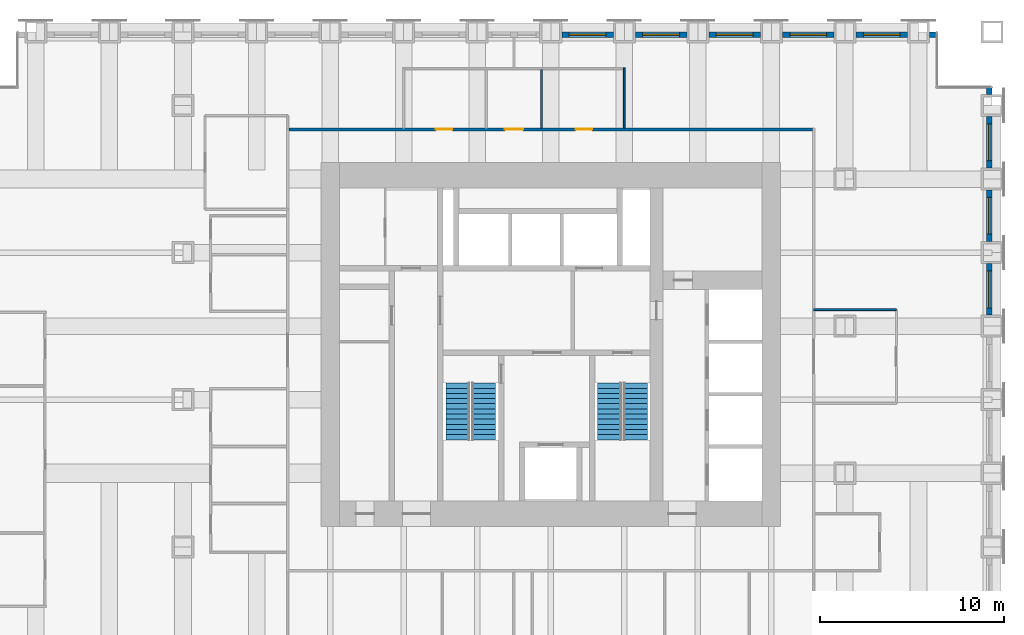
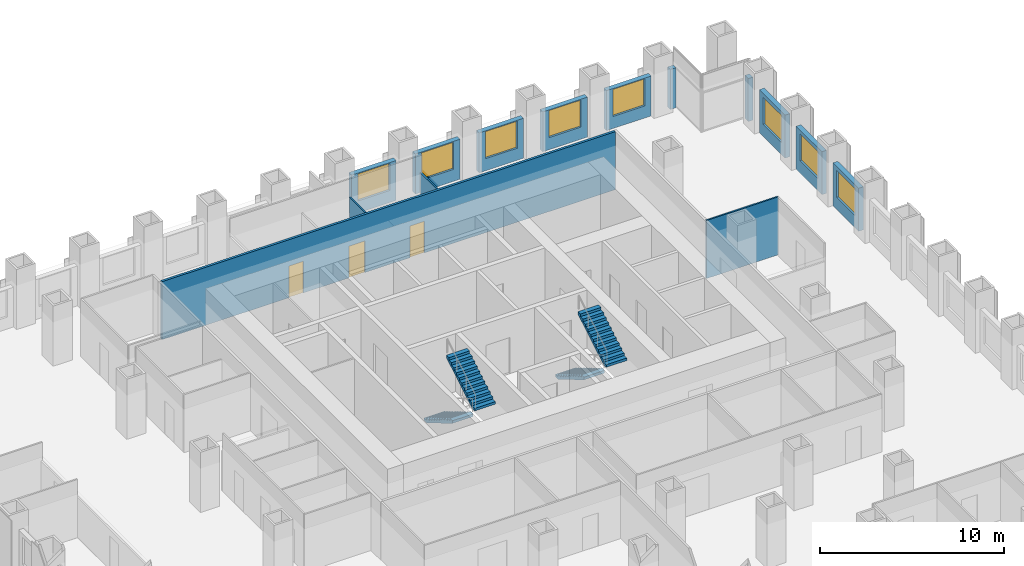
# One storey, part 13 of 15: 14 walls, 8 windows, 4 stair flights, 3 doors, 11 openings, 2 elements without a shape of their own.
"""IFC4 building model written with IfcOpenShell, lengths in metres."""

import ifcopenshell
import ifcopenshell.guid

model = None  # the IFC model being written
_history = None  # IfcOwnerHistory: only IFC2X3 demands one
_inside = {}  # id of a spatial element -> (the spatial element, [elements in it])
_under = {}  # id of a project, library or spatial element -> (it, [spatial elements below it])
_declared = {}  # id of a project -> (the project, [libraries it declares])
_typed = {}  # id of a type object -> (the type object, [elements of that type])
_made_of = {}  # id of a material, layer set ... -> (it, [elements and type objects made of it])


def new_model(schema):
    """Start an empty IFC model of exactly this schema.

    Asked for "IFC4X3", IfcOpenShell would pick the latest addendum, in which some entities
    have other attributes; the version numbers below select the first issue.
    IFC2X3 requires an IfcOwnerHistory on every rooted entity: one is made here for all.
    """
    global model, _history
    if schema == "IFC4X3":
        model = ifcopenshell.file(schema_version=(4, 3, 0, 0))
    else:
        model = ifcopenshell.file(schema=schema)
    _inside.clear()
    _under.clear()
    _declared.clear()
    _typed.clear()
    _made_of.clear()
    _history = None
    if model.schema == "IFC2X3":
        org = make("IfcOrganization", Name="unknown")
        user = make(
            "IfcPersonAndOrganization",
            ThePerson=make("IfcPerson", FamilyName="unknown"),
            TheOrganization=org,
        )
        app = make(
            "IfcApplication",
            ApplicationDeveloper=org,
            Version="unknown",
            ApplicationFullName="unknown",
            ApplicationIdentifier="unknown",
        )
        _history = make(
            "IfcOwnerHistory",
            OwningUser=user,
            OwningApplication=app,
            ChangeAction="ADDED",
            CreationDate=0,
        )
    return model


def make(cls, **values):
    """One entity of the class cls with the attributes given. An attribute that is None is left unset."""
    return model.create_entity(
        cls, **{name: value for name, value in values.items() if value is not None}
    )


def rooted(cls, **values):
    """An entity with a GlobalId (a new one), such as an element, a storey or a relation."""
    return make(cls, GlobalId=ifcopenshell.guid.new(), OwnerHistory=_history, **values)


def si_unit(unit_type, name, prefix=None):
    """IfcSIUnit, for example si_unit("LENGTHUNIT", "METRE", prefix="MILLI")."""
    return make("IfcSIUnit", UnitType=unit_type, Prefix=prefix, Name=name)


def assignment(units):
    """IfcUnitAssignment: the units of a project."""
    return None if units is None else make("IfcUnitAssignment", Units=units)


def point(xyz):
    """IfcCartesianPoint."""
    return None if xyz is None else make("IfcCartesianPoint", Coordinates=xyz)


def direction(xyz):
    """IfcDirection."""
    return None if xyz is None else make("IfcDirection", DirectionRatios=xyz)


def frame(location, z_axis=None, x_axis=None):
    """IfcAxis2Placement3D, a coordinate frame: its origin and axes. An axis left out is left unset."""
    return make(
        "IfcAxis2Placement3D",
        Location=point(location),
        Axis=direction(z_axis),
        RefDirection=direction(x_axis),
    )


def frame_2d(location, x_axis=None):
    """IfcAxis2Placement2D, a coordinate frame in the plane: its origin and x axis."""
    return make(
        "IfcAxis2Placement2D", Location=point(location), RefDirection=direction(x_axis)
    )


def origin():
    """The frame at (0, 0, 0) with its axes left unset."""
    return frame((0.0, 0.0, 0.0))


def place(relative_to, where):
    """IfcLocalPlacement: puts the frame where relative to a parent placement (None: the world)."""
    return make(
        "IfcLocalPlacement", PlacementRelTo=relative_to, RelativePlacement=where
    )


def context(
    kind, dimensions, precision=None, world=None, true_north=None, identifier=None
):
    """IfcGeometricRepresentationContext, for example the 3D "Model" context."""
    return make(
        "IfcGeometricRepresentationContext",
        ContextIdentifier=identifier,
        ContextType=kind,
        CoordinateSpaceDimension=dimensions,
        Precision=precision,
        WorldCoordinateSystem=world,
        TrueNorth=true_north,
    )


def subcontext(parent, identifier, kind, view, scale=None):
    """IfcGeometricRepresentationSubContext, for example "Body" below "Model"."""
    return make(
        "IfcGeometricRepresentationSubContext",
        ContextIdentifier=identifier,
        ContextType=kind,
        ParentContext=parent,
        TargetScale=scale,
        TargetView=view,
    )


def project(units=None, contexts=None):
    """IfcProject with its units and contexts."""
    return rooted(
        "IfcProject",
        Name="project",
        RepresentationContexts=contexts,
        UnitsInContext=assignment(units),
    )


def spatial(cls, under=None, at=None, **own):
    """A site, building, storey or space (cls), placed at a placement, below another one or the project."""
    s = rooted(cls, ObjectPlacement=at, **own)
    if under is not None:
        _under.setdefault(under.id(), (under, []))[1].append(s)
    return s


def polyline(points):
    """IfcPolyline through the points."""
    return make("IfcPolyline", Points=[point(p) for p in points])


def profile(cls, at=None, kind="AREA", **sizes):
    """A parametric profile (cls). Its sizes go by their IFC names, for example OverallWidth=200.0."""
    return make(cls, ProfileType=kind, Position=at, **sizes)


def rectangle(**sizes):
    """IfcRectangleProfileDef."""
    return profile("IfcRectangleProfileDef", **sizes)


def outline(outer, holes=None, kind="AREA"):
    """IfcArbitraryClosedProfileDef: a profile drawn as a closed curve; with holes, ...WithVoids."""
    if holes is None:
        return make("IfcArbitraryClosedProfileDef", ProfileType=kind, OuterCurve=outer)
    return make(
        "IfcArbitraryProfileDefWithVoids",
        ProfileType=kind,
        OuterCurve=outer,
        InnerCurves=holes,
    )


def extrude(swept, where, along, depth):
    """IfcExtrudedAreaSolid: the profile swept, set in the frame where, extruded along a direction by depth."""
    return make(
        "IfcExtrudedAreaSolid",
        SweptArea=swept,
        Position=where,
        ExtrudedDirection=direction(along),
        Depth=depth,
    )


def shape(context_of_items, identifier, shape_type, items):
    """IfcShapeRepresentation: the items that make up one representation, for example the "Body"."""
    return make(
        "IfcShapeRepresentation",
        ContextOfItems=context_of_items,
        RepresentationIdentifier=identifier,
        RepresentationType=shape_type,
        Items=items,
    )


def material(Name=None, Category=None):
    """IfcMaterial."""
    return make("IfcMaterial", Name=Name, Category=Category)


def layer(
    of_material, thickness, ventilated=None, Name=None, Category=None, Priority=None
):
    """IfcMaterialLayer: one layer of a wall or slab, of a material (None: an air gap)."""
    return make(
        "IfcMaterialLayer",
        Material=of_material,
        LayerThickness=thickness,
        IsVentilated=ventilated,
        Name=Name,
        Category=Category,
        Priority=Priority,
    )


def layer_set(layers, Name=None):
    """IfcMaterialLayerSet."""
    return make("IfcMaterialLayerSet", MaterialLayers=layers, LayerSetName=Name)


def made_of(thing, what):
    """Note that an element or type object is made of a material, layer set ...; save() writes the relation."""
    if what is not None:
        _made_of.setdefault(what.id(), (what, []))[1].append(thing)
    return thing


def type_object(cls, material=None, **own):
    """A type object (cls), such as IfcWallType, which elements share."""
    return made_of(rooted(cls, **own), material)


def element(
    cls,
    number,
    at=None,
    inside=None,
    cuts=None,
    type_object=None,
    material=None,
    context=None,
    identifier="Body",
    shape_type=None,
    held_by="IfcProductDefinitionShape",
    body=None,
    shapes=None,
    **own,
):
    """One element of the class cls, such as IfcWall. Its Tag is "e" and its number.

    at: its placement. inside: the storey or other place that contains it. cuts: it is an
    opening in that element (IfcRelVoidsElement). A single representation is given by context,
    identifier, shape_type and body (its items); several are given by shapes. held_by: the class
    of the entity that holds the representations. save() writes the other relations.
    """
    e = rooted(cls, Tag="e%d" % number, ObjectPlacement=at, **own)
    if body is not None:
        shapes = [shape(context, identifier, shape_type, body)]
    if shapes is not None:
        e.Representation = make(held_by, Representations=shapes)
    if inside is not None:
        _inside.setdefault(inside.id(), (inside, []))[1].append(e)
    if cuts is not None:
        rooted(
            "IfcRelVoidsElement", RelatingBuildingElement=cuts, RelatedOpeningElement=e
        )
    if type_object is not None:
        _typed.setdefault(type_object.id(), (type_object, []))[1].append(e)
    return made_of(e, material)


def fill(opening, filler):
    """IfcRelFillsElement: the door or window that sits in an opening."""
    return rooted(
        "IfcRelFillsElement",
        RelatingOpeningElement=opening,
        RelatedBuildingElement=filler,
    )


def aggregate(whole, parts):
    """IfcRelAggregates: a whole, such as a stair, and the parts it consists of."""
    return rooted("IfcRelAggregates", RelatingObject=whole, RelatedObjects=parts)


def save(model, path):
    """Write the relations noted so far, then the file.

    IfcRelAggregates (storeys below a building ...), IfcRelContainedInSpatialStructure (elements
    in a storey), IfcRelDefinesByType, IfcRelAssociatesMaterial and IfcRelDeclares: one each for
    every whole, place, type object, material and project.
    """
    for whole, parts in _under.values():
        aggregate(whole, parts)
    for where, things in _inside.values():
        rooted(
            "IfcRelContainedInSpatialStructure",
            RelatedElements=things,
            RelatingStructure=where,
        )
    for kind, things in _typed.values():
        rooted("IfcRelDefinesByType", RelatedObjects=things, RelatingType=kind)
    for what, things in _made_of.values():
        rooted("IfcRelAssociatesMaterial", RelatedObjects=things, RelatingMaterial=what)
    for by, libraries in _declared.values():
        rooted("IfcRelDeclares", RelatingContext=by, RelatedDefinitions=libraries)
    model.write(path)


model = new_model("IFC4")

# Units and contexts
model_context = context("Model", 3, precision=1e-05, world=origin(), true_north=direction((0.0, 1.0)))
body_context = subcontext(model_context, "Body", "Model", "MODEL_VIEW")
ifc_project = project(units=[si_unit("LENGTHUNIT", "METRE"), si_unit("AREAUNIT", "SQUARE_METRE"), si_unit("VOLUMEUNIT", "CUBIC_METRE"), si_unit("PLANEANGLEUNIT", "RADIAN"), si_unit("MASSUNIT", "GRAM", prefix="KILO")], contexts=[model_context])

# Site, building, storey
site_placement = place(None, origin())
site = spatial("IfcSite", under=ifc_project, at=site_placement, CompositionType="ELEMENT")
building_placement = place(site_placement, origin())
building = spatial("IfcBuilding", under=site, at=building_placement, Name="Rimbunsela Tower", CompositionType="ELEMENT")
storey_placement = place(building_placement, frame((0.0, 0.0, 39.0)))
storey = spatial("IfcBuildingStorey", under=building, at=storey_placement, Name="L09", CompositionType="ELEMENT", Elevation=39.0)

# Wall
ifc_material_1 = material(Name="Gypsum board on steel studs", Category="steel")
ifc_layer_1 = layer(ifc_material_1, 0.10009765625)
ifc_layer_set_1 = layer_set([ifc_layer_1], Name="Office partition 100")
wall_type_1 = type_object("IfcWallType", Name="Office partition 100", PredefinedType="PARTITIONING", material=ifc_layer_set_1)
wall_1_placement = place(storey_placement, frame((48.800048828125, 28.89990234375, 0.0), z_axis=(0.0, 0.0, 1.0), x_axis=(-1.0, 0.0, 0.0)))
element("IfcWall", 1, at=wall_1_placement, inside=storey, type_object=wall_type_1, Name="Office partition", PredefinedType="PARTITIONING", context=body_context, shape_type="SweptSolid", body=[
    extrude(rectangle(XDim=4.5, YDim=0.10009765625, at=frame_2d((2.25, 0.0))), origin(), (0.0, 0.0, 1.0), 3.85009765625),
])

# Wall, opening, window
ifc_material_2 = material(Name="Precast concrete fc' 35 MPa", Category="concrete")
ifc_layer_2 = layer(ifc_material_2, 0.300048828125)
ifc_layer_set_2 = layer_set([ifc_layer_2], Name="Precast concrete fc' 35 MPa")
wall_type_2 = type_object("IfcWallType", Name="Precast facade panel 300", PredefinedType="ELEMENTEDWALL", material=ifc_layer_set_2)
wall_2_placement = place(storey_placement, frame((53.85009765625, 28.60009765625, 0.0), z_axis=(0.0, 0.0, 1.0), x_axis=(0.0, 1.0, 0.0)))
wall_2 = element("IfcWall", 2, at=wall_2_placement, inside=storey, type_object=wall_type_2, Name="Facade panel E L09", PredefinedType="ELEMENTEDWALL", context=body_context, shape_type="SweptSolid", body=[
    extrude(rectangle(XDim=2.7998046875, YDim=0.300048828125, at=frame_2d((1.39990234375, 0.0))), origin(), (0.0, 0.0, 1.0), 2.85009765625),
])
opening_1_placement = place(wall_2_placement, frame((0.39990234375, 0.0, 0.800048828125)))
opening_1 = element("IfcOpeningElement", 3, at=opening_1_placement, cuts=wall_2, Name="Opening W7", PredefinedType="OPENING", context=body_context, shape_type="SweptSolid", body=[
    extrude(rectangle(XDim=2.0, YDim=1.800048828125, at=frame_2d((1.0, 0.89990234375))), frame((0.0, 0.159912109375, 0.0), z_axis=(0.0, -1.0, 0.0), x_axis=(1.0, 0.0, 0.0)), (0.0, 0.0, 1.0), 0.320068359375),
])
ifc_material_3 = material(Name="Clear glass in aluminium frame", Category="aluminium")
window_type = type_object("IfcWindowType", Name="Window W7 2000x1800", PartitioningType="DOUBLE_PANEL_VERTICAL", PredefinedType="WINDOW", material=ifc_material_3)
window_1_placement = place(opening_1_placement, origin())
window_1 = element("IfcWindow", 4, at=window_1_placement, inside=storey, type_object=window_type, Name="Window L09", OverallHeight=1.800048828125, OverallWidth=2.0, PartitioningType="SINGLE_PANEL", PredefinedType="WINDOW", context=body_context, shape_type="SweptSolid", body=[
    extrude(rectangle(XDim=2.0, YDim=1.800048828125, at=frame_2d((1.0, 0.89990234375))), frame((0.0, 0.030029296875, 0.0), z_axis=(0.0, -1.0, 0.0), x_axis=(1.0, 0.0, 0.0)), (0.0, 0.0, 1.0), 0.06005859375),
])
fill(opening_1, window_1)

wall_3_placement = place(storey_placement, frame((53.85009765625, 32.60009765625, 0.0), z_axis=(0.0, 0.0, 1.0), x_axis=(0.0, 1.0, 0.0)))
wall_3 = element("IfcWall", 5, at=wall_3_placement, inside=storey, type_object=wall_type_2, Name="Facade panel E L09", PredefinedType="ELEMENTEDWALL", context=body_context, shape_type="SweptSolid", body=[
    extrude(rectangle(XDim=2.7998046875, YDim=0.300048828125, at=frame_2d((1.39990234375, 0.0))), origin(), (0.0, 0.0, 1.0), 2.85009765625),
])
opening_2_placement = place(wall_3_placement, frame((0.39990234375, 0.0, 0.800048828125)))
opening_2 = element("IfcOpeningElement", 6, at=opening_2_placement, cuts=wall_3, Name="Opening W7", PredefinedType="OPENING", context=body_context, shape_type="SweptSolid", body=[
    extrude(rectangle(XDim=2.0, YDim=1.800048828125, at=frame_2d((1.0, 0.89990234375))), frame((0.0, 0.159912109375, 0.0), z_axis=(0.0, -1.0, 0.0), x_axis=(1.0, 0.0, 0.0)), (0.0, 0.0, 1.0), 0.320068359375),
])
window_2_placement = place(opening_2_placement, origin())
window_2 = element("IfcWindow", 7, at=window_2_placement, inside=storey, type_object=window_type, Name="Window L09", OverallHeight=1.800048828125, OverallWidth=2.0, PartitioningType="SINGLE_PANEL", PredefinedType="WINDOW", context=body_context, shape_type="SweptSolid", body=[
    extrude(rectangle(XDim=2.0, YDim=1.800048828125, at=frame_2d((1.0, 0.89990234375))), frame((0.0, 0.030029296875, 0.0), z_axis=(0.0, -1.0, 0.0), x_axis=(1.0, 0.0, 0.0)), (0.0, 0.0, 1.0), 0.06005859375),
])
fill(opening_2, window_2)

wall_4_placement = place(storey_placement, frame((53.85009765625, 36.60009765625, 0.0), z_axis=(0.0, 0.0, 1.0), x_axis=(0.0, 1.0, 0.0)))
wall_4 = element("IfcWall", 8, at=wall_4_placement, inside=storey, type_object=wall_type_2, Name="Facade panel E L09", PredefinedType="ELEMENTEDWALL", context=body_context, shape_type="SweptSolid", body=[
    extrude(rectangle(XDim=2.7998046875, YDim=0.300048828125, at=frame_2d((1.39990234375, 0.0))), origin(), (0.0, 0.0, 1.0), 2.85009765625),
])
opening_3_placement = place(wall_4_placement, frame((0.39990234375, 0.0, 0.800048828125)))
opening_3 = element("IfcOpeningElement", 9, at=opening_3_placement, cuts=wall_4, Name="Opening W7", PredefinedType="OPENING", context=body_context, shape_type="SweptSolid", body=[
    extrude(rectangle(XDim=2.0, YDim=1.800048828125, at=frame_2d((1.0, 0.89990234375))), frame((0.0, 0.159912109375, 0.0), z_axis=(0.0, -1.0, 0.0), x_axis=(1.0, 0.0, 0.0)), (0.0, 0.0, 1.0), 0.320068359375),
])
window_3_placement = place(opening_3_placement, origin())
window_3 = element("IfcWindow", 10, at=window_3_placement, inside=storey, type_object=window_type, Name="Window L09", OverallHeight=1.800048828125, OverallWidth=2.0, PartitioningType="SINGLE_PANEL", PredefinedType="WINDOW", context=body_context, shape_type="SweptSolid", body=[
    extrude(rectangle(XDim=2.0, YDim=1.800048828125, at=frame_2d((1.0, 0.89990234375))), frame((0.0, 0.030029296875, 0.0), z_axis=(0.0, -1.0, 0.0), x_axis=(1.0, 0.0, 0.0)), (0.0, 0.0, 1.0), 0.06005859375),
])
fill(opening_3, window_3)

# Wall
wall_5_placement = place(storey_placement, frame((53.85009765625, 40.60009765625, 0.0), z_axis=(0.0, 0.0, 1.0), x_axis=(0.0, 1.0, 0.0)))
element("IfcWall", 11, at=wall_5_placement, inside=storey, type_object=wall_type_2, Name="Facade panel E L09", PredefinedType="ELEMENTEDWALL", context=body_context, shape_type="SweptSolid", body=[
    extrude(rectangle(XDim=0.369873046875, YDim=0.300048828125, at=frame_2d((0.18505859375, 0.0))), origin(), (0.0, 0.0, 1.0), 2.85009765625),
])

# Wall, opening, window
wall_6_placement = place(storey_placement, frame((33.39990234375, 43.85009765625, 0.0), z_axis=(0.0, 0.0, 1.0), x_axis=(-1.0, 0.0, 0.0)))
wall_6 = element("IfcWall", 12, at=wall_6_placement, inside=storey, type_object=wall_type_2, Name="Facade panel N L09", PredefinedType="ELEMENTEDWALL", context=body_context, shape_type="SweptSolid", body=[
    extrude(rectangle(XDim=2.7998046875, YDim=0.300048828125, at=frame_2d((1.39990234375, 0.0))), origin(), (0.0, 0.0, 1.0), 2.64990234375),
])
opening_4_placement = place(wall_6_placement, frame((0.39990234375, 0.0, 0.800048828125)))
opening_4 = element("IfcOpeningElement", 13, at=opening_4_placement, cuts=wall_6, Name="Opening W7", PredefinedType="OPENING", context=body_context, shape_type="SweptSolid", body=[
    extrude(rectangle(XDim=2.0, YDim=1.800048828125, at=frame_2d((1.0, 0.89990234375))), frame((0.0, 0.159912109375, 0.0), z_axis=(0.0, -1.0, 0.0), x_axis=(1.0, 0.0, 0.0)), (0.0, 0.0, 1.0), 0.320068359375),
])
window_4_placement = place(opening_4_placement, origin())
window_4 = element("IfcWindow", 14, at=window_4_placement, inside=storey, type_object=window_type, Name="Window L09", OverallHeight=1.800048828125, OverallWidth=2.0, PartitioningType="SINGLE_PANEL", PredefinedType="WINDOW", context=body_context, shape_type="SweptSolid", body=[
    extrude(rectangle(XDim=2.0, YDim=1.800048828125, at=frame_2d((1.0, 0.89990234375))), frame((0.0, 0.030029296875, 0.0), z_axis=(0.0, -1.0, 0.0), x_axis=(1.0, 0.0, 0.0)), (0.0, 0.0, 1.0), 0.06005859375),
])
fill(opening_4, window_4)

wall_7_placement = place(storey_placement, frame((37.39990234375, 43.85009765625, 0.0), z_axis=(0.0, 0.0, 1.0), x_axis=(-1.0, 0.0, 0.0)))
wall_7 = element("IfcWall", 15, at=wall_7_placement, inside=storey, type_object=wall_type_2, Name="Facade panel N L09", PredefinedType="ELEMENTEDWALL", context=body_context, shape_type="SweptSolid", body=[
    extrude(rectangle(XDim=2.7998046875, YDim=0.300048828125, at=frame_2d((1.39990234375, 0.0))), origin(), (0.0, 0.0, 1.0), 2.64990234375),
])
opening_5_placement = place(wall_7_placement, frame((0.39990234375, 0.0, 0.800048828125)))
opening_5 = element("IfcOpeningElement", 16, at=opening_5_placement, cuts=wall_7, Name="Opening W7", PredefinedType="OPENING", context=body_context, shape_type="SweptSolid", body=[
    extrude(rectangle(XDim=2.0, YDim=1.800048828125, at=frame_2d((1.0, 0.89990234375))), frame((0.0, 0.159912109375, 0.0), z_axis=(0.0, -1.0, 0.0), x_axis=(1.0, 0.0, 0.0)), (0.0, 0.0, 1.0), 0.320068359375),
])
window_5_placement = place(opening_5_placement, origin())
window_5 = element("IfcWindow", 17, at=window_5_placement, inside=storey, type_object=window_type, Name="Window L09", OverallHeight=1.800048828125, OverallWidth=2.0, PartitioningType="SINGLE_PANEL", PredefinedType="WINDOW", context=body_context, shape_type="SweptSolid", body=[
    extrude(rectangle(XDim=2.0, YDim=1.800048828125, at=frame_2d((1.0, 0.89990234375))), frame((0.0, 0.030029296875, 0.0), z_axis=(0.0, -1.0, 0.0), x_axis=(1.0, 0.0, 0.0)), (0.0, 0.0, 1.0), 0.06005859375),
])
fill(opening_5, window_5)

wall_8_placement = place(storey_placement, frame((41.39990234375, 43.85009765625, 0.0), z_axis=(0.0, 0.0, 1.0), x_axis=(-1.0, 0.0, 0.0)))
wall_8 = element("IfcWall", 18, at=wall_8_placement, inside=storey, type_object=wall_type_2, Name="Facade panel N L09", PredefinedType="ELEMENTEDWALL", context=body_context, shape_type="SweptSolid", body=[
    extrude(rectangle(XDim=2.7998046875, YDim=0.300048828125, at=frame_2d((1.39990234375, 0.0))), origin(), (0.0, 0.0, 1.0), 2.64990234375),
])
opening_6_placement = place(wall_8_placement, frame((0.39990234375, 0.0, 0.800048828125)))
opening_6 = element("IfcOpeningElement", 19, at=opening_6_placement, cuts=wall_8, Name="Opening W7", PredefinedType="OPENING", context=body_context, shape_type="SweptSolid", body=[
    extrude(rectangle(XDim=2.0, YDim=1.800048828125, at=frame_2d((1.0, 0.89990234375))), frame((0.0, 0.159912109375, 0.0), z_axis=(0.0, -1.0, 0.0), x_axis=(1.0, 0.0, 0.0)), (0.0, 0.0, 1.0), 0.320068359375),
])
window_6_placement = place(opening_6_placement, origin())
window_6 = element("IfcWindow", 20, at=window_6_placement, inside=storey, type_object=window_type, Name="Window L09", OverallHeight=1.800048828125, OverallWidth=2.0, PartitioningType="SINGLE_PANEL", PredefinedType="WINDOW", context=body_context, shape_type="SweptSolid", body=[
    extrude(rectangle(XDim=2.0, YDim=1.800048828125, at=frame_2d((1.0, 0.89990234375))), frame((0.0, 0.030029296875, 0.0), z_axis=(0.0, -1.0, 0.0), x_axis=(1.0, 0.0, 0.0)), (0.0, 0.0, 1.0), 0.06005859375),
])
fill(opening_6, window_6)

wall_9_placement = place(storey_placement, frame((45.39990234375, 43.85009765625, 0.0), z_axis=(0.0, 0.0, 1.0), x_axis=(-1.0, 0.0, 0.0)))
wall_9 = element("IfcWall", 21, at=wall_9_placement, inside=storey, type_object=wall_type_2, Name="Facade panel N L09", PredefinedType="ELEMENTEDWALL", context=body_context, shape_type="SweptSolid", body=[
    extrude(rectangle(XDim=2.7998046875, YDim=0.300048828125, at=frame_2d((1.39990234375, 0.0))), origin(), (0.0, 0.0, 1.0), 2.64990234375),
])
opening_7_placement = place(wall_9_placement, frame((0.39990234375, 0.0, 0.800048828125)))
opening_7 = element("IfcOpeningElement", 22, at=opening_7_placement, cuts=wall_9, Name="Opening W7", PredefinedType="OPENING", context=body_context, shape_type="SweptSolid", body=[
    extrude(rectangle(XDim=2.0, YDim=1.800048828125, at=frame_2d((1.0, 0.89990234375))), frame((0.0, 0.159912109375, 0.0), z_axis=(0.0, -1.0, 0.0), x_axis=(1.0, 0.0, 0.0)), (0.0, 0.0, 1.0), 0.320068359375),
])
window_7_placement = place(opening_7_placement, origin())
window_7 = element("IfcWindow", 23, at=window_7_placement, inside=storey, type_object=window_type, Name="Window L09", OverallHeight=1.800048828125, OverallWidth=2.0, PartitioningType="SINGLE_PANEL", PredefinedType="WINDOW", context=body_context, shape_type="SweptSolid", body=[
    extrude(rectangle(XDim=2.0, YDim=1.800048828125, at=frame_2d((1.0, 0.89990234375))), frame((0.0, 0.030029296875, 0.0), z_axis=(0.0, -1.0, 0.0), x_axis=(1.0, 0.0, 0.0)), (0.0, 0.0, 1.0), 0.06005859375),
])
fill(opening_7, window_7)

wall_10_placement = place(storey_placement, frame((49.39990234375, 43.85009765625, 0.0), z_axis=(0.0, 0.0, 1.0), x_axis=(-1.0, 0.0, 0.0)))
wall_10 = element("IfcWall", 24, at=wall_10_placement, inside=storey, type_object=wall_type_2, Name="Facade panel N L09", PredefinedType="ELEMENTEDWALL", context=body_context, shape_type="SweptSolid", body=[
    extrude(rectangle(XDim=2.7998046875, YDim=0.300048828125, at=frame_2d((1.39990234375, 0.0))), origin(), (0.0, 0.0, 1.0), 2.64990234375),
])
opening_8_placement = place(wall_10_placement, frame((0.39990234375, 0.0, 0.800048828125)))
opening_8 = element("IfcOpeningElement", 25, at=opening_8_placement, cuts=wall_10, Name="Opening W7", PredefinedType="OPENING", context=body_context, shape_type="SweptSolid", body=[
    extrude(rectangle(XDim=2.0, YDim=1.800048828125, at=frame_2d((1.0, 0.89990234375))), frame((0.0, 0.159912109375, 0.0), z_axis=(0.0, -1.0, 0.0), x_axis=(1.0, 0.0, 0.0)), (0.0, 0.0, 1.0), 0.320068359375),
])
window_8_placement = place(opening_8_placement, origin())
window_8 = element("IfcWindow", 26, at=window_8_placement, inside=storey, type_object=window_type, Name="Window L09", OverallHeight=1.800048828125, OverallWidth=2.0, PartitioningType="SINGLE_PANEL", PredefinedType="WINDOW", context=body_context, shape_type="SweptSolid", body=[
    extrude(rectangle(XDim=2.0, YDim=1.800048828125, at=frame_2d((1.0, 0.89990234375))), frame((0.0, 0.030029296875, 0.0), z_axis=(0.0, -1.0, 0.0), x_axis=(1.0, 0.0, 0.0)), (0.0, 0.0, 1.0), 0.06005859375),
])
fill(opening_8, window_8)

# Wall
wall_11_placement = place(storey_placement, frame((50.969970703125, 43.85009765625, 0.0), z_axis=(0.0, 0.0, 1.0), x_axis=(-1.0, 0.0, 0.0)))
element("IfcWall", 27, at=wall_11_placement, inside=storey, type_object=wall_type_2, Name="Facade panel N L09", PredefinedType="ELEMENTEDWALL", context=body_context, shape_type="SweptSolid", body=[
    extrude(rectangle(XDim=0.369873046875, YDim=0.300048828125, at=frame_2d((0.18505859375, 0.0))), origin(), (0.0, 0.0, 1.0), 2.64990234375),
])

# Wall, openings, doors
ifc_material_4 = material(Name="Fire-rated gypsum board on steel studs, EI 60", Category="steel")
ifc_layer_3 = layer(ifc_material_4, 0.14990234375)
ifc_layer_set_3 = layer_set([ifc_layer_3], Name="Rated corridor wall 150")
wall_type_3 = type_object("IfcWallType", Name="Rated corridor wall 150", PredefinedType="PARTITIONING", material=ifc_layer_set_3)
wall_12_placement = place(storey_placement, frame((15.77490234375, 38.699951171875, 0.0), z_axis=(0.0, 0.0, 1.0), x_axis=(1.0, 0.0, 0.0)))
wall_12 = element("IfcWall", 28, at=wall_12_placement, inside=storey, type_object=wall_type_3, Name="Corridor wall north", PredefinedType="PARTITIONING", context=body_context, shape_type="SweptSolid", body=[
    extrude(rectangle(XDim=28.4501953125, YDim=0.14990234375, at=frame_2d((14.22509765625, 0.0))), origin(), (0.0, 0.0, 1.0), 3.85009765625),
])
opening_9_placement = place(wall_12_placement, frame((7.97509765625, 0.0, 0.0)))
opening_9 = element("IfcOpeningElement", 29, at=opening_9_placement, cuts=wall_12, Name="Opening D04", PredefinedType="OPENING", context=body_context, shape_type="SweptSolid", body=[
    extrude(rectangle(XDim=0.89990234375, YDim=2.10009765625, at=frame_2d((0.449951171875, 1.050048828125))), frame((0.0, 0.0849609375, 0.0), z_axis=(0.0, -1.0, 0.0), x_axis=(1.0, 0.0, 0.0)), (0.0, 0.0, 1.0), 0.169921875),
])
opening_10_placement = place(wall_12_placement, frame((11.72509765625, 0.0, 0.0)))
opening_10 = element("IfcOpeningElement", 30, at=opening_10_placement, cuts=wall_12, Name="Opening D05", PredefinedType="OPENING", context=body_context, shape_type="SweptSolid", body=[
    extrude(rectangle(XDim=1.0, YDim=2.10009765625, at=frame_2d((0.5, 1.050048828125))), frame((0.0, 0.0849609375, 0.0), z_axis=(0.0, -1.0, 0.0), x_axis=(1.0, 0.0, 0.0)), (0.0, 0.0, 1.0), 0.169921875),
])
opening_11_placement = place(wall_12_placement, frame((15.574951171875, 0.0, 0.0)))
opening_11 = element("IfcOpeningElement", 31, at=opening_11_placement, cuts=wall_12, Name="Opening D04", PredefinedType="OPENING", context=body_context, shape_type="SweptSolid", body=[
    extrude(rectangle(XDim=0.89990234375, YDim=2.10009765625, at=frame_2d((0.449951171875, 1.050048828125))), frame((0.0, 0.0849609375, 0.0), z_axis=(0.0, -1.0, 0.0), x_axis=(1.0, 0.0, 0.0)), (0.0, 0.0, 1.0), 0.169921875),
])
ifc_material_5 = material(Name="Timber door", Category="wood")
door_type_1 = type_object("IfcDoorType", Name="Accessible WC door 1000", OperationType="SLIDING_TO_LEFT", PredefinedType="DOOR", material=ifc_material_5)
door_1_placement = place(opening_10_placement, origin())
door_1 = element("IfcDoor", 32, at=door_1_placement, inside=storey, type_object=door_type_1, Name="Accessible WC door", OperationType="SLIDING_TO_LEFT", OverallHeight=2.10009765625, OverallWidth=1.0, PredefinedType="DOOR", context=body_context, shape_type="SweptSolid", body=[
    extrude(rectangle(XDim=1.0, YDim=2.10009765625, at=frame_2d((0.5, 1.050048828125))), frame((0.0, 0.02490234375, 0.0), z_axis=(0.0, -1.0, 0.0), x_axis=(1.0, 0.0, 0.0)), (0.0, 0.0, 1.0), 0.050048828125),
])
fill(opening_10, door_1)
ifc_material_6 = material(Name="Timber door", Category="wood")
door_type_2 = type_object("IfcDoorType", Name="Toilet door 900", OperationType="SINGLE_SWING_LEFT", PredefinedType="DOOR", material=ifc_material_6)
door_2_placement = place(opening_9_placement, origin())
door_2 = element("IfcDoor", 33, at=door_2_placement, inside=storey, type_object=door_type_2, Name="Female WC door", OperationType="SINGLE_SWING_LEFT", OverallHeight=2.10009765625, OverallWidth=0.89990234375, PredefinedType="DOOR", context=body_context, shape_type="SweptSolid", body=[
    extrude(rectangle(XDim=0.89990234375, YDim=2.10009765625, at=frame_2d((0.449951171875, 1.050048828125))), frame((0.0, 0.02490234375, 0.0), z_axis=(0.0, -1.0, 0.0), x_axis=(1.0, 0.0, 0.0)), (0.0, 0.0, 1.0), 0.050048828125),
])
fill(opening_9, door_2)
door_3_placement = place(opening_11_placement, origin())
door_3 = element("IfcDoor", 34, at=door_3_placement, inside=storey, type_object=door_type_2, Name="Male WC door", OperationType="SINGLE_SWING_LEFT", OverallHeight=2.10009765625, OverallWidth=0.89990234375, PredefinedType="DOOR", context=body_context, shape_type="SweptSolid", body=[
    extrude(rectangle(XDim=0.89990234375, YDim=2.10009765625, at=frame_2d((0.449951171875, 1.050048828125))), frame((0.0, 0.02490234375, 0.0), z_axis=(0.0, -1.0, 0.0), x_axis=(1.0, 0.0, 0.0)), (0.0, 0.0, 1.0), 0.050048828125),
])
fill(opening_11, door_3)

# Walls
ifc_material_7 = material(Name="Concrete blockwork", Category="masonry")
ifc_layer_4 = layer(ifc_material_7, 0.10009765625)
ifc_layer_set_4 = layer_set([ifc_layer_4], Name="Toilet partition 100")
wall_type_4 = type_object("IfcWallType", Name="Toilet partition 100", PredefinedType="PARTITIONING", material=ifc_layer_set_4)
wall_13_placement = place(storey_placement, frame((34.0, 38.77490234375, 0.0), z_axis=(0.0, 0.0, 1.0), x_axis=(0.0, 1.0, 0.0)))
element("IfcWall", 35, at=wall_13_placement, inside=storey, type_object=wall_type_4, Name="Toilet block wall east", PredefinedType="PARTITIONING", context=body_context, shape_type="SweptSolid", body=[
    extrude(rectangle(XDim=3.275146484375, YDim=0.10009765625, at=frame_2d((1.6376953125, 0.0))), origin(), (0.0, 0.0, 1.0), 2.64990234375),
])
wall_14_placement = place(storey_placement, frame((29.5, 38.77490234375, 0.0), z_axis=(0.0, 0.0, 1.0), x_axis=(0.0, 1.0, 0.0)))
element("IfcWall", 36, at=wall_14_placement, inside=storey, type_object=wall_type_4, Name="Toilet partition", PredefinedType="PARTITIONING", context=body_context, shape_type="SweptSolid", body=[
    extrude(rectangle(XDim=3.175048828125, YDim=0.10009765625, at=frame_2d((1.58740234375, 0.0))), origin(), (0.0, 0.0, 1.0), 2.64990234375),
])

# Stair, stair flights
ifc_material_8 = material(Name="Concrete fc' 35 MPa", Category="concrete")
stair_type = type_object("IfcStairType", Name="Exit stair 24 risers", PredefinedType="HALF_TURN_STAIR", material=ifc_material_8)
stair_1_placement = place(storey_placement, origin())
stair_1 = element("IfcStair", 37, at=stair_1_placement, inside=storey, type_object=stair_type, Name="Exit stair A L09", PredefinedType="HALF_TURN_STAIR")
ifc_material_9 = material(Name="Concrete fc' 35 MPa", Category="concrete")
stair_flight_type = type_object("IfcStairFlightType", Name="Stair flight 12 risers 167", PredefinedType="STRAIGHT", material=ifc_material_9)
stair_flight_1_placement = place(storey_placement, frame((24.949951171875, 24.89990234375, 0.0), z_axis=(0.0, 0.0, 1.0), x_axis=(0.0, -1.0, 0.0)))
stair_flight_1 = element("IfcStairFlight", 38, at=stair_flight_1_placement, type_object=stair_flight_type, Name="ST-A flight 1", NumberOfRisers=12, NumberOfTreads=11, PredefinedType="STRAIGHT", RiserHeight=0.166666667, TreadLength=0.28, context=body_context, shape_type="SweptSolid", body=[
    extrude(outline(polyline([(0.0, 0.0), (0.0, 0.166748046875), (0.280029296875, 0.166748046875), (0.280029296875, 0.333251953125), (0.56005859375, 0.333251953125), (0.56005859375, 0.5), (0.840087890625, 0.5), (0.840087890625, 0.666748046875), (1.1201171875, 0.666748046875), (1.1201171875, 0.833251953125), (1.39990234375, 0.833251953125), (1.39990234375, 1.0), (1.679931640625, 1.0), (1.679931640625, 1.166748046875), (1.9599609375, 1.166748046875), (1.9599609375, 1.333251953125), (2.239990234375, 1.333251953125), (2.239990234375, 1.5), (2.52001953125, 1.5), (2.52001953125, 1.666748046875), (2.800048828125, 1.666748046875), (2.800048828125, 1.833251953125), (3.080078125, 1.833251953125), (3.080078125, 2.0), (3.080078125, 1.658935546875), (0.29296875, 0.0), (0.0, 0.0)])), frame((0.0, 0.64990234375, 0.0), z_axis=(0.0, -1.0, 0.0), x_axis=(1.0, 0.0, 0.0)), (0.0, 0.0, 1.0), 1.300048828125),
])
stair_flight_2_placement = place(storey_placement, frame((26.35009765625, 21.820068359375, 2.0), z_axis=(0.0, 0.0, 1.0), x_axis=(0.0, 1.0, 0.0)))
stair_flight_2 = element("IfcStairFlight", 39, at=stair_flight_2_placement, type_object=stair_flight_type, Name="ST-A flight 2", NumberOfRisers=12, NumberOfTreads=11, PredefinedType="STRAIGHT", RiserHeight=0.166666667, TreadLength=0.28, context=body_context, shape_type="SweptSolid", body=[
    extrude(outline(polyline([(0.0, 0.0), (0.0, 0.166748046875), (0.280029296875, 0.166748046875), (0.280029296875, 0.333251953125), (0.56005859375, 0.333251953125), (0.56005859375, 0.5), (0.840087890625, 0.5), (0.840087890625, 0.666748046875), (1.1201171875, 0.666748046875), (1.1201171875, 0.833251953125), (1.39990234375, 0.833251953125), (1.39990234375, 1.0), (1.679931640625, 1.0), (1.679931640625, 1.166748046875), (1.9599609375, 1.166748046875), (1.9599609375, 1.333251953125), (2.239990234375, 1.333251953125), (2.239990234375, 1.5), (2.52001953125, 1.5), (2.52001953125, 1.666748046875), (2.800048828125, 1.666748046875), (2.800048828125, 1.833251953125), (3.080078125, 1.833251953125), (3.080078125, 2.0), (3.080078125, 1.658935546875), (0.29296875, 0.0), (0.0, 0.0)])), frame((0.0, 0.64990234375, 0.0), z_axis=(0.0, -1.0, 0.0), x_axis=(1.0, 0.0, 0.0)), (0.0, 0.0, 1.0), 1.300048828125),
])
aggregate(stair_1, [stair_flight_1, stair_flight_2])

stair_2_placement = place(storey_placement, origin())
stair_2 = element("IfcStair", 40, at=stair_2_placement, inside=storey, type_object=stair_type, Name="Exit stair B L09", PredefinedType="HALF_TURN_STAIR")
stair_flight_3_placement = place(storey_placement, frame((33.199951171875, 24.89990234375, 0.0), z_axis=(0.0, 0.0, 1.0), x_axis=(0.0, -1.0, 0.0)))
stair_flight_3 = element("IfcStairFlight", 41, at=stair_flight_3_placement, type_object=stair_flight_type, Name="ST-B flight 1", NumberOfRisers=12, NumberOfTreads=11, PredefinedType="STRAIGHT", RiserHeight=0.166666667, TreadLength=0.28, context=body_context, shape_type="SweptSolid", body=[
    extrude(outline(polyline([(0.0, 0.0), (0.0, 0.166748046875), (0.280029296875, 0.166748046875), (0.280029296875, 0.333251953125), (0.56005859375, 0.333251953125), (0.56005859375, 0.5), (0.840087890625, 0.5), (0.840087890625, 0.666748046875), (1.1201171875, 0.666748046875), (1.1201171875, 0.833251953125), (1.39990234375, 0.833251953125), (1.39990234375, 1.0), (1.679931640625, 1.0), (1.679931640625, 1.166748046875), (1.9599609375, 1.166748046875), (1.9599609375, 1.333251953125), (2.239990234375, 1.333251953125), (2.239990234375, 1.5), (2.52001953125, 1.5), (2.52001953125, 1.666748046875), (2.800048828125, 1.666748046875), (2.800048828125, 1.833251953125), (3.080078125, 1.833251953125), (3.080078125, 2.0), (3.080078125, 1.658935546875), (0.29296875, 0.0), (0.0, 0.0)])), frame((0.0, 0.64990234375, 0.0), z_axis=(0.0, -1.0, 0.0), x_axis=(1.0, 0.0, 0.0)), (0.0, 0.0, 1.0), 1.300048828125),
])
stair_flight_4_placement = place(storey_placement, frame((34.60009765625, 21.820068359375, 2.0), z_axis=(0.0, 0.0, 1.0), x_axis=(0.0, 1.0, 0.0)))
stair_flight_4 = element("IfcStairFlight", 42, at=stair_flight_4_placement, type_object=stair_flight_type, Name="ST-B flight 2", NumberOfRisers=12, NumberOfTreads=11, PredefinedType="STRAIGHT", RiserHeight=0.166666667, TreadLength=0.28, context=body_context, shape_type="SweptSolid", body=[
    extrude(outline(polyline([(0.0, 0.0), (0.0, 0.166748046875), (0.280029296875, 0.166748046875), (0.280029296875, 0.333251953125), (0.56005859375, 0.333251953125), (0.56005859375, 0.5), (0.840087890625, 0.5), (0.840087890625, 0.666748046875), (1.1201171875, 0.666748046875), (1.1201171875, 0.833251953125), (1.39990234375, 0.833251953125), (1.39990234375, 1.0), (1.679931640625, 1.0), (1.679931640625, 1.166748046875), (1.9599609375, 1.166748046875), (1.9599609375, 1.333251953125), (2.239990234375, 1.333251953125), (2.239990234375, 1.5), (2.52001953125, 1.5), (2.52001953125, 1.666748046875), (2.800048828125, 1.666748046875), (2.800048828125, 1.833251953125), (3.080078125, 1.833251953125), (3.080078125, 2.0), (3.080078125, 1.658935546875), (0.29296875, 0.0), (0.0, 0.0)])), frame((0.0, 0.64990234375, 0.0), z_axis=(0.0, -1.0, 0.0), x_axis=(1.0, 0.0, 0.0)), (0.0, 0.0, 1.0), 1.300048828125),
])
aggregate(stair_2, [stair_flight_3, stair_flight_4])

save(model, "model.ifc")
